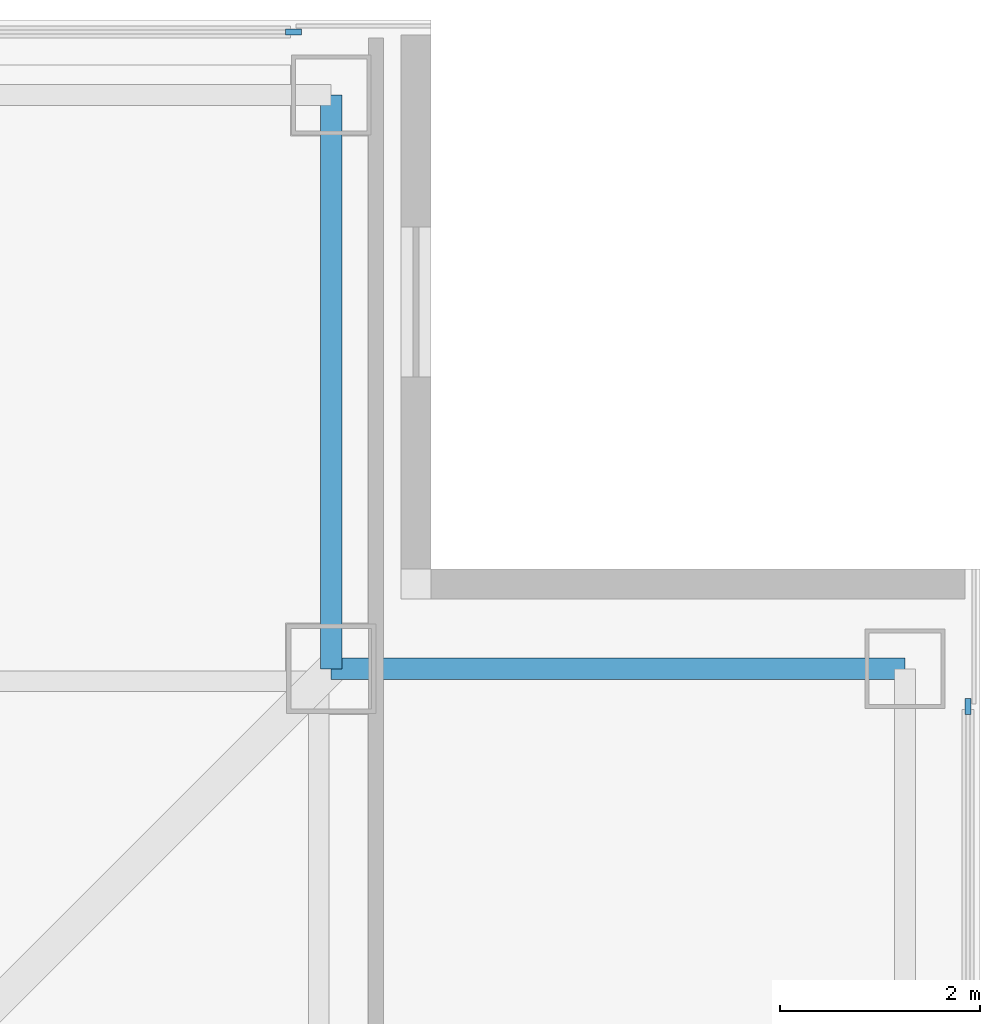
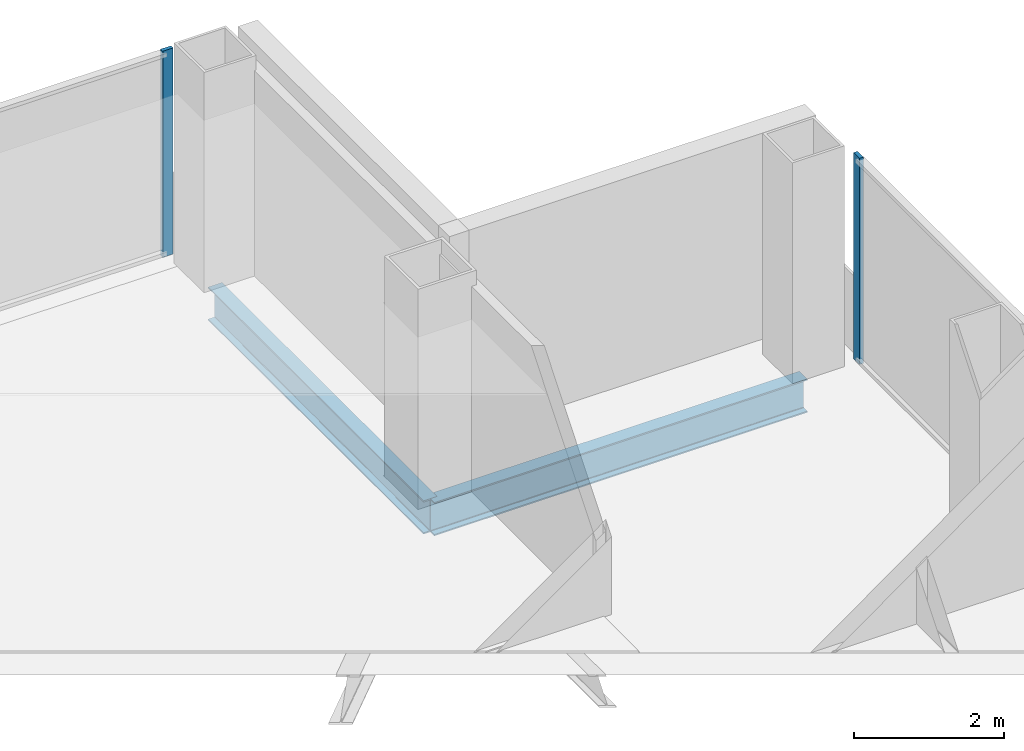
# One storey, part 9 of 18: 2 beams, 2 members, 2 elements without a shape of their own.
"""IFC4 building model written with IfcOpenShell, lengths in metres."""

from ifc_helpers import new_model, si_unit, direction, frame, origin, origin_2d, place, context, subcontext, project, spatial, rectangle, i_section, extrude, material, layer, layer_set, material_profile, profile_set, type_object, element, aggregate, save


model = new_model("IFC4")

# Units and contexts
model_context = context("Model", 3, precision=1e-05, world=origin(), true_north=direction((0.0, 1.0)))
body_context = subcontext(model_context, "Body", "Model", "MODEL_VIEW")
ifc_project = project(units=[si_unit("LENGTHUNIT", "METRE"), si_unit("AREAUNIT", "SQUARE_METRE"), si_unit("VOLUMEUNIT", "CUBIC_METRE"), si_unit("PLANEANGLEUNIT", "RADIAN"), si_unit("MASSUNIT", "GRAM", prefix="KILO")], contexts=[model_context])

# Site, building, storey
site_placement = place(None, origin())
site = spatial("IfcSite", under=ifc_project, at=site_placement, CompositionType="ELEMENT")
building_placement = place(site_placement, origin())
building = spatial("IfcBuilding", under=site, at=building_placement, Name="Trevonay Congress Spire", CompositionType="ELEMENT")
storey_placement = place(building_placement, frame((0.0, 0.0, 198.60009765625)))
storey = spatial("IfcBuildingStorey", under=building, at=storey_placement, Name="L51", CompositionType="ELEMENT", Elevation=198.60009765625)

# Beams
ifc_material_1 = material(Name="Steel ASTM A572 Grade 50", Category="steel")
ifc_material_profile_1 = material_profile(ifc_material_1, i_section(OverallWidth=0.2119140625, OverallDepth=0.5439453125, WebThickness=0.01318359375, FlangeThickness=0.021240234375, FilletRadius=0.014892578125, at=origin_2d()), Name="W530x123")
ifc_profile_set_1 = profile_set([ifc_material_profile_1], Name="Steel ASTM A572 Grade 50")
beam_type = type_object("IfcBeamType", Name="BM-RING-W530X123", PredefinedType="BEAM", material=ifc_profile_set_1)
for number, where, z_axis, x_axis, name in (
    (1, (13.5, 19.25, -0.51220703125), (0.0, -1.0, 0.0), (1.0, 0.0, 0.0), "L51 structural beam BM-L51-N1NE"),
    (2, (19.25, 13.5, -0.51220703125), (-1.0, 0.0, 0.0), (0.0, -1.0, 0.0), "L51 structural beam BM-L51-N2NE"),
):
    element("IfcBeam", number, at=place(storey_placement, frame(where, z_axis=z_axis, x_axis=x_axis)), inside=storey, type_object=beam_type, Name=name, PredefinedType="BEAM", context=body_context, shape_type="SweptSolid", body=[
        extrude(i_section(OverallWidth=0.2119140625, OverallDepth=0.5439453125, WebThickness=0.01318359375, FlangeThickness=0.021240234375, FilletRadius=0.014892578125, at=origin_2d()), origin(), (0.0, 0.0, 1.0), 5.75),
    ])

# Curtain wall, member
ifc_material_2 = material(Name="Pale Anodised Aluminium EN AW-6063-T6", Category="aluminium")
ifc_layer = layer(ifc_material_2, 0.169921875, Name="Pale Anodised Aluminium EN AW-6063-T6")
ifc_layer_set = layer_set([ifc_layer], Name="Pale Anodised Aluminium EN AW-6063-T6")
curtain_wall_type = type_object("IfcCurtainWallType", Name="CW-SYS04-CORP-PALE-METAL", PredefinedType="NOTDEFINED", material=ifc_layer_set)
curtain_wall_1_placement = place(storey_placement, origin())
curtain_wall_1 = element("IfcCurtainWall", 3, at=curtain_wall_1_placement, inside=storey, type_object=curtain_wall_type, Name="L51 N unitised curtain wall", PredefinedType="NOTDEFINED")
ifc_material_profile_2 = material_profile(ifc_material_2, rectangle(XDim=0.06005859375, YDim=0.159912109375, at=origin_2d()), Name="CW-MULLION-160-ALUMINIUM")
ifc_profile_set_2 = profile_set([ifc_material_profile_2], Name="Pale Anodised Aluminium EN AW-6063-T6")
member_type = type_object("IfcMemberType", Name="CW-MULLION-160-ALUMINIUM", PredefinedType="MULLION", material=ifc_profile_set_2)
member_1_placement = place(storey_placement, frame((13.1201171875, 19.8798828125, 0.0), z_axis=(0.0, 0.0, 1.0), x_axis=(0.0, 1.0, 0.0)))
member_1 = element("IfcMember", 4, at=member_1_placement, type_object=member_type, Name="CW04 mullion 6", PredefinedType="MULLION", context=body_context, shape_type="SweptSolid", body=[
    extrude(rectangle(XDim=0.06005859375, YDim=0.159912109375, at=origin_2d()), origin(), (0.0, 0.0, 1.0), 3.35986328125),
])
aggregate(curtain_wall_1, [member_1])

curtain_wall_2_placement = place(storey_placement, origin())
curtain_wall_2 = element("IfcCurtainWall", 5, at=curtain_wall_2_placement, inside=storey, type_object=curtain_wall_type, Name="L51 E unitised curtain wall", PredefinedType="NOTDEFINED")
member_2_placement = place(storey_placement, frame((19.8798828125, 13.1201171875, 0.0), z_axis=(0.0, 0.0, 1.0), x_axis=(-1.0, 0.0, 0.0)))
member_2 = element("IfcMember", 6, at=member_2_placement, type_object=member_type, Name="CW04 mullion 6", PredefinedType="MULLION", context=body_context, shape_type="SweptSolid", body=[
    extrude(rectangle(XDim=0.06005859375, YDim=0.159912109375, at=origin_2d()), origin(), (0.0, 0.0, 1.0), 3.35986328125),
])
aggregate(curtain_wall_2, [member_2])

save(model, "model.ifc")
